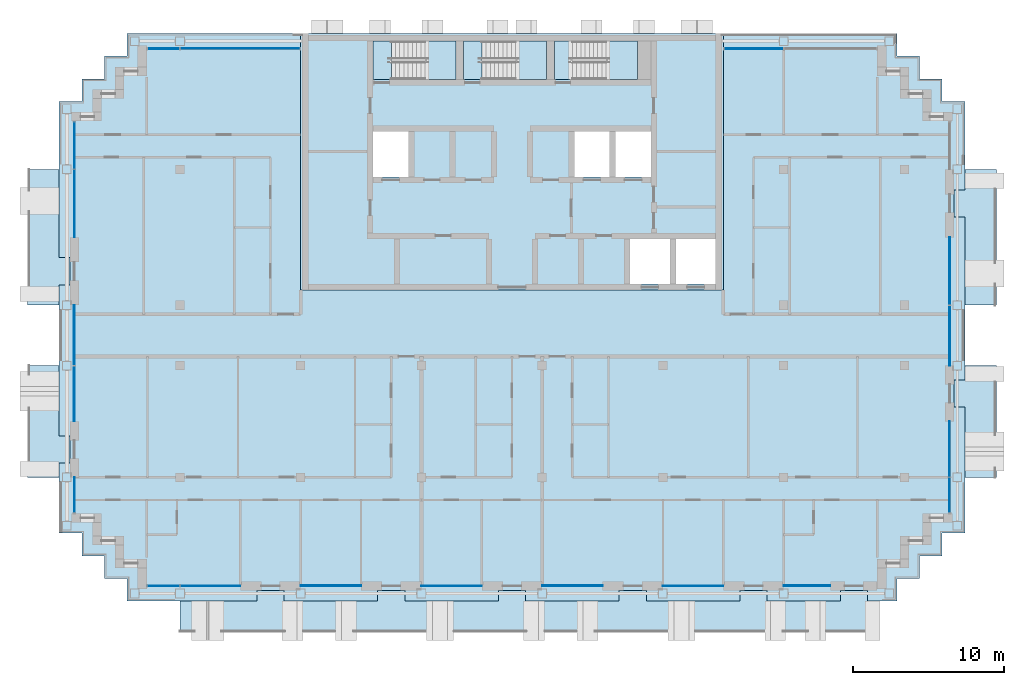
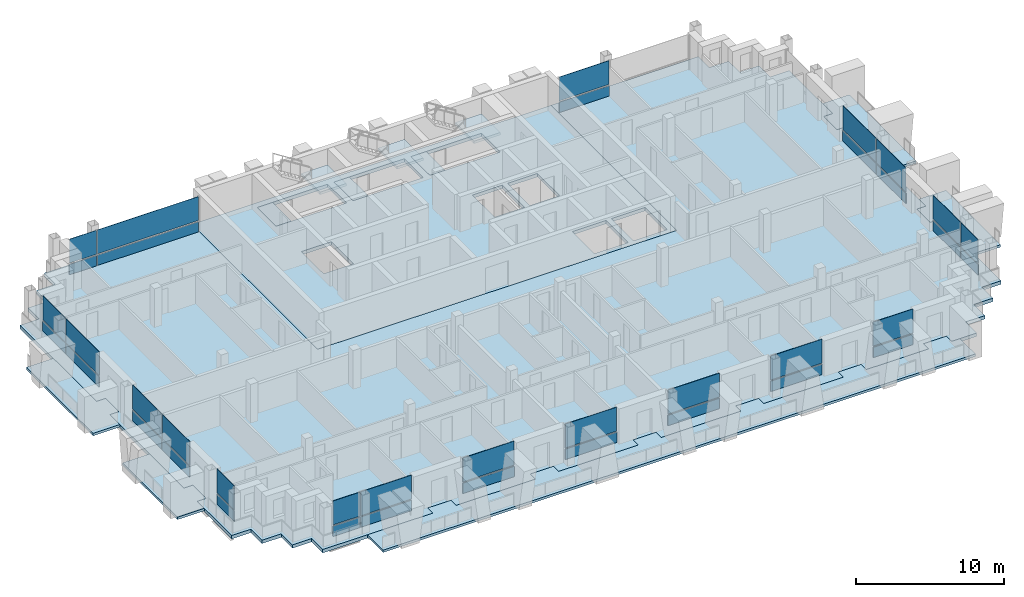
# One storey, part 6 of 16: 38 plates, 13 slabs, 16 elements without a shape of their own.
"""IFC4 building model written with IfcOpenShell, lengths in metres."""

from ifc_helpers import new_model, si_unit, direction, frame, origin, origin_2d, place, context, subcontext, project, spatial, polyline, rectangle, outline, extrude, material, layer, layer_set, type_object, element, aggregate, save


model = new_model("IFC4")

# Units and contexts
model_context = context("Model", 3, precision=1e-05, world=origin(), true_north=direction((0.0, 1.0)))
body_context = subcontext(model_context, "Body", "Model", "MODEL_VIEW")
ifc_project = project(units=[si_unit("LENGTHUNIT", "METRE"), si_unit("AREAUNIT", "SQUARE_METRE"), si_unit("VOLUMEUNIT", "CUBIC_METRE"), si_unit("PLANEANGLEUNIT", "RADIAN"), si_unit("MASSUNIT", "GRAM", prefix="KILO")], contexts=[model_context])

# Site, building, storey
site_placement = place(None, origin())
site = spatial("IfcSite", under=ifc_project, at=site_placement, CompositionType="ELEMENT")
building_placement = place(site_placement, origin())
building = spatial("IfcBuilding", under=site, at=building_placement, Name="Vidyagriha Tower", CompositionType="ELEMENT")
storey_placement = place(building_placement, frame((0.0, 0.0, 220.39990234375)))
storey = spatial("IfcBuildingStorey", under=building, at=storey_placement, Name="L57", CompositionType="ELEMENT", Elevation=220.39990234375)

# Curtain wall, plate
ifc_material_1 = material(Name="Aluminium and glass curtain wall", Category="aluminium")
curtain_wall_type = type_object("IfcCurtainWallType", Name="Dwelling skin unitised curtain wall", PredefinedType="USERDEFINED", material=ifc_material_1)
curtain_wall_1_placement = place(storey_placement, origin())
curtain_wall_1 = element("IfcCurtainWall", 1, at=curtain_wall_1_placement, inside=storey, type_object=curtain_wall_type, Name="CW1 dwelling skin", ObjectType="UNITISED", PredefinedType="USERDEFINED")
ifc_material_2 = material(Name="Glass dark ceramic-fritted spandrel", Category="glass")
ifc_layer_1 = layer(ifc_material_2, 0.0400390625)
ifc_layer_set_1 = layer_set([ifc_layer_1], Name="Glass dark ceramic-fritted spandrel")
plate_type_1 = type_object("IfcPlateType", Name="Ceramic-fritted spandrel panel", PredefinedType="CURTAIN_PANEL", material=ifc_layer_set_1)
plate_1_placement = place(storey_placement, frame((-18.017578125, 19.0, 0.0), z_axis=(0.0, 0.0, 1.0), x_axis=(-1.0, 0.0, 0.0)))
plate_1 = element("IfcPlate", 2, at=plate_1_placement, type_object=plate_type_1, Name="CW1 panel 1.1", PredefinedType="CURTAIN_PANEL", context=body_context, shape_type="SweptSolid", body=[
    extrude(rectangle(XDim=7.89501953125, YDim=0.0400390625, at=origin_2d()), origin(), (0.0, 0.0, 1.0), 0.85009765625),
])

# Curtain wall, plates
curtain_wall_2_placement = place(storey_placement, origin())
curtain_wall_2 = element("IfcCurtainWall", 3, at=curtain_wall_2_placement, inside=storey, type_object=curtain_wall_type, Name="CW1 dwelling skin", ObjectType="UNITISED", PredefinedType="USERDEFINED")
plate_2_placement = place(storey_placement, frame((-29.0, 12.58251953125, 0.0), z_axis=(0.0, 0.0, 1.0), x_axis=(0.0, -1.0, 0.0)))
plate_2 = element("IfcPlate", 4, at=plate_2_placement, type_object=plate_type_1, Name="CW1 panel 1.1", PredefinedType="CURTAIN_PANEL", context=body_context, shape_type="SweptSolid", body=[
    extrude(rectangle(XDim=3.094970703125, YDim=0.0400390625, at=origin_2d()), origin(), (0.0, 0.0, 1.0), 0.85009765625),
])
plate_3_placement = place(storey_placement, frame((-29.0, 8.732421875, 0.0), z_axis=(0.0, 0.0, 1.0), x_axis=(0.0, -1.0, 0.0)))
plate_3 = element("IfcPlate", 5, at=plate_3_placement, type_object=plate_type_1, Name="CW1 panel 2.1", PredefinedType="CURTAIN_PANEL", context=body_context, shape_type="SweptSolid", body=[
    extrude(rectangle(XDim=4.465087890625, YDim=0.0400390625, at=origin_2d()), origin(), (0.0, 0.0, 1.0), 0.85009765625),
])

# Curtain wall, plate
curtain_wall_3_placement = place(storey_placement, origin())
curtain_wall_3 = element("IfcCurtainWall", 6, at=curtain_wall_3_placement, inside=storey, type_object=curtain_wall_type, Name="CW1 dwelling skin", ObjectType="UNITISED", PredefinedType="USERDEFINED")
plate_4_placement = place(storey_placement, frame((-29.0, -10.56494140625, 0.0), z_axis=(0.0, 0.0, 1.0), x_axis=(0.0, -1.0, 0.0)))
plate_4 = element("IfcPlate", 7, at=plate_4_placement, type_object=plate_type_1, Name="CW1 panel 1.1", PredefinedType="CURTAIN_PANEL", context=body_context, shape_type="SweptSolid", body=[
    extrude(rectangle(XDim=2.330078125, YDim=0.0400390625, at=origin_2d()), origin(), (0.0, 0.0, 1.0), 0.85009765625),
])

# Curtain wall, plates
curtain_wall_4_placement = place(storey_placement, origin())
curtain_wall_4 = element("IfcCurtainWall", 8, at=curtain_wall_4_placement, inside=storey, type_object=curtain_wall_type, Name="CW1 dwelling skin", ObjectType="UNITISED", PredefinedType="USERDEFINED")
plate_5_placement = place(storey_placement, frame((-23.08251953125, -16.60009765625, 0.0)))
plate_5 = element("IfcPlate", 9, at=plate_5_placement, type_object=plate_type_1, Name="CW1 panel 1.1", PredefinedType="CURTAIN_PANEL", context=body_context, shape_type="SweptSolid", body=[
    extrude(rectangle(XDim=2.094970703125, YDim=0.0400390625, at=origin_2d()), origin(), (0.0, 0.0, 1.0), 0.85009765625),
])
plate_6_placement = place(storey_placement, frame((-19.982421875, -16.60009765625, 0.0)))
plate_6 = element("IfcPlate", 10, at=plate_6_placement, type_object=plate_type_1, Name="CW1 panel 2.1", PredefinedType="CURTAIN_PANEL", context=body_context, shape_type="SweptSolid", body=[
    extrude(rectangle(XDim=3.965087890625, YDim=0.0400390625, at=origin_2d()), origin(), (0.0, 0.0, 1.0), 0.85009765625),
])

# Curtain wall, plate
curtain_wall_5_placement = place(storey_placement, origin())
curtain_wall_5 = element("IfcCurtainWall", 11, at=curtain_wall_5_placement, inside=storey, type_object=curtain_wall_type, Name="CW1 dwelling skin", ObjectType="UNITISED", PredefinedType="USERDEFINED")
plate_7_placement = place(storey_placement, frame((-4.0, -16.60009765625, 0.0)))
plate_7 = element("IfcPlate", 12, at=plate_7_placement, type_object=plate_type_1, Name="CW1 panel 1.1", PredefinedType="CURTAIN_PANEL", context=body_context, shape_type="SweptSolid", body=[
    extrude(rectangle(XDim=4.0, YDim=0.0400390625, at=origin_2d()), origin(), (0.0, 0.0, 1.0), 0.85009765625),
])

curtain_wall_6_placement = place(storey_placement, origin())
curtain_wall_6 = element("IfcCurtainWall", 13, at=curtain_wall_6_placement, inside=storey, type_object=curtain_wall_type, Name="CW1 dwelling skin", ObjectType="UNITISED", PredefinedType="USERDEFINED")
plate_8_placement = place(storey_placement, frame((12.0, -16.60009765625, 0.0)))
plate_8 = element("IfcPlate", 14, at=plate_8_placement, type_object=plate_type_1, Name="CW1 panel 1.1", PredefinedType="CURTAIN_PANEL", context=body_context, shape_type="SweptSolid", body=[
    extrude(rectangle(XDim=4.0, YDim=0.0400390625, at=origin_2d()), origin(), (0.0, 0.0, 1.0), 0.85009765625),
])

# Curtain wall, plates
curtain_wall_7_placement = place(storey_placement, origin())
curtain_wall_7 = element("IfcCurtainWall", 15, at=curtain_wall_7_placement, inside=storey, type_object=curtain_wall_type, Name="CW1 dwelling skin", ObjectType="UNITISED", PredefinedType="USERDEFINED")
plate_9_placement = place(storey_placement, frame((29.0, -10.58251953125, 0.0), z_axis=(0.0, 0.0, 1.0), x_axis=(0.0, 1.0, 0.0)))
plate_9 = element("IfcPlate", 16, at=plate_9_placement, type_object=plate_type_1, Name="CW1 panel 1.1", PredefinedType="CURTAIN_PANEL", context=body_context, shape_type="SweptSolid", body=[
    extrude(rectangle(XDim=2.294921875, YDim=0.0400390625, at=origin_2d()), origin(), (0.0, 0.0, 1.0), 0.85009765625),
])
plate_10_placement = place(storey_placement, frame((29.0, -7.532470703125, 0.0), z_axis=(0.0, 0.0, 1.0), x_axis=(0.0, 1.0, 0.0)))
plate_10 = element("IfcPlate", 17, at=plate_10_placement, type_object=plate_type_1, Name="CW1 panel 2.1", PredefinedType="CURTAIN_PANEL", context=body_context, shape_type="SweptSolid", body=[
    extrude(rectangle(XDim=3.6650390625, YDim=0.0400390625, at=origin_2d()), origin(), (0.0, 0.0, 1.0), 0.85009765625),
])

# Slab
ifc_material_3 = material(Name="Concrete C60/75", Category="concrete")
ifc_layer_2 = layer(ifc_material_3, 0.280029296875)
ifc_layer_set_2 = layer_set([ifc_layer_2], Name="Concrete C60/75")
slab_type_1 = type_object("IfcSlabType", Name="Core floor slab 280 mm", PredefinedType="FLOOR", material=ifc_layer_set_2)
slab_1_placement = place(storey_placement, frame((0.0, 0.0, -0.27978515625)))
element("IfcSlab", 18, at=slab_1_placement, inside=storey, type_object=slab_type_1, Name="L57 core floor 1", PredefinedType="FLOOR", context=body_context, shape_type="SweptSolid", body=[
    extrude(outline(polyline([(-14.0, 3.0), (-14.0, 20.0), (14.0, 20.0), (14.0, 3.0), (-14.0, 3.0)]), holes=[polyline([(13.5, 6.39990234375), (10.855712890625, 6.39990234375), (10.855712890625, 3.39990234375), (13.5, 3.39990234375), (13.5, 6.39990234375)]), polyline([(10.45556640625, 6.39990234375), (7.81103515625, 6.39990234375), (7.81103515625, 3.39990234375), (10.45556640625, 3.39990234375), (10.45556640625, 6.39990234375)]), polyline([(9.199951171875, 13.5), (6.86669921875, 13.5), (6.86669921875, 10.5), (9.199951171875, 10.5), (9.199951171875, 13.5)]), polyline([(2.800048828125, 19.5), (2.800048828125, 16.949951171875), (4.0, 16.949951171875), (8.300048828125, 16.949951171875), (8.300048828125, 19.5), (4.0, 19.5), (2.800048828125, 19.5)]), polyline([(4.13330078125, 13.5), (4.13330078125, 10.5), (6.466796875, 10.5), (6.466796875, 13.5), (4.13330078125, 13.5)]), polyline([(-2.0, 19.5), (-3.199951171875, 19.5), (-3.199951171875, 16.949951171875), (-2.0, 16.949951171875), (2.300048828125, 16.949951171875), (2.300048828125, 19.5), (-2.0, 19.5)]), polyline([(-9.199951171875, 19.5), (-9.199951171875, 16.949951171875), (-8.0, 16.949951171875), (-3.699951171875, 16.949951171875), (-3.699951171875, 19.5), (-8.0, 19.5), (-9.199951171875, 19.5)]), polyline([(-9.199951171875, 13.5), (-9.199951171875, 10.5), (-6.86669921875, 10.5), (-6.86669921875, 13.5), (-9.199951171875, 13.5)])]), origin(), (0.0, 0.0, 1.0), 0.27978515625),
])

# Curtain wall, plate
curtain_wall_8_placement = place(storey_placement, origin())
curtain_wall_8 = element("IfcCurtainWall", 19, at=curtain_wall_8_placement, inside=storey, type_object=curtain_wall_type, Name="CW1 dwelling skin", ObjectType="UNITISED", PredefinedType="USERDEFINED")
ifc_material_4 = material(Name="Glass dark ceramic-fritted", Category="glass")
ifc_layer_3 = layer(ifc_material_4, 0.028076171875)
ifc_layer_set_3 = layer_set([ifc_layer_3], Name="Glass dark ceramic-fritted")
plate_type_2 = type_object("IfcPlateType", Name="Dark ceramic-fritted vision glass panel", PredefinedType="CURTAIN_PANEL", material=ifc_layer_set_3)
plate_11_placement = place(storey_placement, frame((16.017578125, 19.0, 0.9501953125), z_axis=(0.0, 0.0, 1.0), x_axis=(-1.0, 0.0, 0.0)))
plate_11 = element("IfcPlate", 20, at=plate_11_placement, type_object=plate_type_2, Name="CW1 panel 2.2", PredefinedType="CURTAIN_PANEL", context=body_context, shape_type="SweptSolid", body=[
    extrude(rectangle(XDim=3.89501953125, YDim=0.028076171875, at=origin_2d()), origin(), (0.0, 0.0, 1.0), 1.969970703125),
])

# Plate
plate_12_placement = place(storey_placement, frame((-18.017578125, 19.0, 0.9501953125), z_axis=(0.0, 0.0, 1.0), x_axis=(-1.0, 0.0, 0.0)))
plate_12 = element("IfcPlate", 21, at=plate_12_placement, type_object=plate_type_2, Name="CW1 panel 1.2", PredefinedType="CURTAIN_PANEL", context=body_context, shape_type="SweptSolid", body=[
    extrude(rectangle(XDim=7.89501953125, YDim=0.028076171875, at=origin_2d()), origin(), (0.0, 0.0, 1.0), 1.969970703125),
])

plate_13_placement = place(storey_placement, frame((-23.08251953125, 19.0, 0.9501953125), z_axis=(0.0, 0.0, 1.0), x_axis=(-1.0, 0.0, 0.0)))
plate_13 = element("IfcPlate", 22, at=plate_13_placement, type_object=plate_type_2, Name="CW1 panel 2.2", PredefinedType="CURTAIN_PANEL", context=body_context, shape_type="SweptSolid", body=[
    extrude(rectangle(XDim=2.094970703125, YDim=0.028076171875, at=origin_2d()), origin(), (0.0, 0.0, 1.0), 1.969970703125),
])

plate_14_placement = place(storey_placement, frame((-29.0, 12.58251953125, 0.9501953125), z_axis=(0.0, 0.0, 1.0), x_axis=(0.0, -1.0, 0.0)))
plate_14 = element("IfcPlate", 23, at=plate_14_placement, type_object=plate_type_2, Name="CW1 panel 1.2", PredefinedType="CURTAIN_PANEL", context=body_context, shape_type="SweptSolid", body=[
    extrude(rectangle(XDim=3.094970703125, YDim=0.028076171875, at=origin_2d()), origin(), (0.0, 0.0, 1.0), 1.969970703125),
])

plate_15_placement = place(storey_placement, frame((-29.0, 8.732421875, 0.9501953125), z_axis=(0.0, 0.0, 1.0), x_axis=(0.0, -1.0, 0.0)))
plate_15 = element("IfcPlate", 24, at=plate_15_placement, type_object=plate_type_2, Name="CW1 panel 2.2", PredefinedType="CURTAIN_PANEL", context=body_context, shape_type="SweptSolid", body=[
    extrude(rectangle(XDim=4.465087890625, YDim=0.028076171875, at=origin_2d()), origin(), (0.0, 0.0, 1.0), 1.969970703125),
])

aggregate(curtain_wall_2, [plate_2, plate_14, plate_3, plate_15])

# Curtain wall, plates
curtain_wall_9_placement = place(storey_placement, origin())
curtain_wall_9 = element("IfcCurtainWall", 25, at=curtain_wall_9_placement, inside=storey, type_object=curtain_wall_type, Name="CW1 dwelling skin", ObjectType="UNITISED", PredefinedType="USERDEFINED")
plate_16_placement = place(storey_placement, frame((-29.0, 0.017578125, 0.9501953125), z_axis=(0.0, 0.0, 1.0), x_axis=(0.0, -1.0, 0.0)))
plate_16 = element("IfcPlate", 26, at=plate_16_placement, type_object=plate_type_2, Name="CW1 panel 1.2", PredefinedType="CURTAIN_PANEL", context=body_context, shape_type="SweptSolid", body=[
    extrude(rectangle(XDim=3.965087890625, YDim=0.028076171875, at=origin_2d()), origin(), (0.0, 0.0, 1.0), 1.969970703125),
])
plate_17_placement = place(storey_placement, frame((-29.0, -3.867431640625, 0.9501953125), z_axis=(0.0, 0.0, 1.0), x_axis=(0.0, -1.0, 0.0)))
plate_17 = element("IfcPlate", 27, at=plate_17_placement, type_object=plate_type_2, Name="CW1 panel 2.2", PredefinedType="CURTAIN_PANEL", context=body_context, shape_type="SweptSolid", body=[
    extrude(rectangle(XDim=3.6650390625, YDim=0.028076171875, at=origin_2d()), origin(), (0.0, 0.0, 1.0), 1.969970703125),
])

# Plate
plate_18_placement = place(storey_placement, frame((-29.0, -10.56494140625, 0.9501953125), z_axis=(0.0, 0.0, 1.0), x_axis=(0.0, -1.0, 0.0)))
plate_18 = element("IfcPlate", 28, at=plate_18_placement, type_object=plate_type_2, Name="CW1 panel 1.2", PredefinedType="CURTAIN_PANEL", context=body_context, shape_type="SweptSolid", body=[
    extrude(rectangle(XDim=2.330078125, YDim=0.028076171875, at=origin_2d()), origin(), (0.0, 0.0, 1.0), 1.969970703125),
])

aggregate(curtain_wall_3, [plate_4, plate_18])

plate_19_placement = place(storey_placement, frame((-23.08251953125, -16.60009765625, 0.9501953125)))
plate_19 = element("IfcPlate", 29, at=plate_19_placement, type_object=plate_type_2, Name="CW1 panel 1.2", PredefinedType="CURTAIN_PANEL", context=body_context, shape_type="SweptSolid", body=[
    extrude(rectangle(XDim=2.094970703125, YDim=0.028076171875, at=origin_2d()), origin(), (0.0, 0.0, 1.0), 1.969970703125),
])

plate_20_placement = place(storey_placement, frame((-19.982421875, -16.60009765625, 0.9501953125)))
plate_20 = element("IfcPlate", 30, at=plate_20_placement, type_object=plate_type_2, Name="CW1 panel 2.2", PredefinedType="CURTAIN_PANEL", context=body_context, shape_type="SweptSolid", body=[
    extrude(rectangle(XDim=3.965087890625, YDim=0.028076171875, at=origin_2d()), origin(), (0.0, 0.0, 1.0), 1.969970703125),
])

aggregate(curtain_wall_4, [plate_5, plate_19, plate_6, plate_20])

# Curtain wall, plate
curtain_wall_10_placement = place(storey_placement, origin())
curtain_wall_10 = element("IfcCurtainWall", 31, at=curtain_wall_10_placement, inside=storey, type_object=curtain_wall_type, Name="CW1 dwelling skin", ObjectType="UNITISED", PredefinedType="USERDEFINED")
plate_21_placement = place(storey_placement, frame((-12.0, -16.60009765625, 0.9501953125)))
plate_21 = element("IfcPlate", 32, at=plate_21_placement, type_object=plate_type_2, Name="CW1 panel 1.2", PredefinedType="CURTAIN_PANEL", context=body_context, shape_type="SweptSolid", body=[
    extrude(rectangle(XDim=4.0, YDim=0.028076171875, at=origin_2d()), origin(), (0.0, 0.0, 1.0), 1.969970703125),
])

# Plate
plate_22_placement = place(storey_placement, frame((-4.0, -16.60009765625, 0.9501953125)))
plate_22 = element("IfcPlate", 33, at=plate_22_placement, type_object=plate_type_2, Name="CW1 panel 1.2", PredefinedType="CURTAIN_PANEL", context=body_context, shape_type="SweptSolid", body=[
    extrude(rectangle(XDim=4.0, YDim=0.028076171875, at=origin_2d()), origin(), (0.0, 0.0, 1.0), 1.969970703125),
])

aggregate(curtain_wall_5, [plate_7, plate_22])

# Curtain wall, plate
curtain_wall_11_placement = place(storey_placement, origin())
curtain_wall_11 = element("IfcCurtainWall", 34, at=curtain_wall_11_placement, inside=storey, type_object=curtain_wall_type, Name="CW1 dwelling skin", ObjectType="UNITISED", PredefinedType="USERDEFINED")
plate_23_placement = place(storey_placement, frame((4.0, -16.60009765625, 0.9501953125)))
plate_23 = element("IfcPlate", 35, at=plate_23_placement, type_object=plate_type_2, Name="CW1 panel 1.2", PredefinedType="CURTAIN_PANEL", context=body_context, shape_type="SweptSolid", body=[
    extrude(rectangle(XDim=4.0, YDim=0.028076171875, at=origin_2d()), origin(), (0.0, 0.0, 1.0), 1.969970703125),
])

# Plate
plate_24_placement = place(storey_placement, frame((12.0, -16.60009765625, 0.9501953125)))
plate_24 = element("IfcPlate", 36, at=plate_24_placement, type_object=plate_type_2, Name="CW1 panel 1.2", PredefinedType="CURTAIN_PANEL", context=body_context, shape_type="SweptSolid", body=[
    extrude(rectangle(XDim=4.0, YDim=0.028076171875, at=origin_2d()), origin(), (0.0, 0.0, 1.0), 1.969970703125),
])

aggregate(curtain_wall_6, [plate_8, plate_24])

# Curtain wall, plate
curtain_wall_12_placement = place(storey_placement, origin())
curtain_wall_12 = element("IfcCurtainWall", 37, at=curtain_wall_12_placement, inside=storey, type_object=curtain_wall_type, Name="CW1 dwelling skin", ObjectType="UNITISED", PredefinedType="USERDEFINED")
plate_25_placement = place(storey_placement, frame((19.550048828125, -16.60009765625, 0.9501953125)))
plate_25 = element("IfcPlate", 38, at=plate_25_placement, type_object=plate_type_2, Name="CW1 panel 1.2", PredefinedType="CURTAIN_PANEL", context=body_context, shape_type="SweptSolid", body=[
    extrude(rectangle(XDim=3.10009765625, YDim=0.028076171875, at=origin_2d()), origin(), (0.0, 0.0, 1.0), 1.969970703125),
])

# Plate
plate_26_placement = place(storey_placement, frame((29.0, -10.58251953125, 0.9501953125), z_axis=(0.0, 0.0, 1.0), x_axis=(0.0, 1.0, 0.0)))
plate_26 = element("IfcPlate", 39, at=plate_26_placement, type_object=plate_type_2, Name="CW1 panel 1.2", PredefinedType="CURTAIN_PANEL", context=body_context, shape_type="SweptSolid", body=[
    extrude(rectangle(XDim=2.294921875, YDim=0.028076171875, at=origin_2d()), origin(), (0.0, 0.0, 1.0), 1.969970703125),
])

plate_27_placement = place(storey_placement, frame((29.0, -7.532470703125, 0.9501953125), z_axis=(0.0, 0.0, 1.0), x_axis=(0.0, 1.0, 0.0)))
plate_27 = element("IfcPlate", 40, at=plate_27_placement, type_object=plate_type_2, Name="CW1 panel 2.2", PredefinedType="CURTAIN_PANEL", context=body_context, shape_type="SweptSolid", body=[
    extrude(rectangle(XDim=3.6650390625, YDim=0.028076171875, at=origin_2d()), origin(), (0.0, 0.0, 1.0), 1.969970703125),
])

aggregate(curtain_wall_7, [plate_9, plate_26, plate_10, plate_27])

# Curtain wall, plates
curtain_wall_13_placement = place(storey_placement, origin())
curtain_wall_13 = element("IfcCurtainWall", 41, at=curtain_wall_13_placement, inside=storey, type_object=curtain_wall_type, Name="CW1 dwelling skin", ObjectType="UNITISED", PredefinedType="USERDEFINED")
plate_28_placement = place(storey_placement, frame((29.0, -0.017578125, 0.9501953125), z_axis=(0.0, 0.0, 1.0), x_axis=(0.0, 1.0, 0.0)))
plate_28 = element("IfcPlate", 42, at=plate_28_placement, type_object=plate_type_2, Name="CW1 panel 1.2", PredefinedType="CURTAIN_PANEL", context=body_context, shape_type="SweptSolid", body=[
    extrude(rectangle(XDim=3.965087890625, YDim=0.028076171875, at=origin_2d()), origin(), (0.0, 0.0, 1.0), 1.969970703125),
])
plate_29_placement = place(storey_placement, frame((29.0, 4.267578125, 0.9501953125), z_axis=(0.0, 0.0, 1.0), x_axis=(0.0, 1.0, 0.0)))
plate_29 = element("IfcPlate", 43, at=plate_29_placement, type_object=plate_type_2, Name="CW1 panel 2.2", PredefinedType="CURTAIN_PANEL", context=body_context, shape_type="SweptSolid", body=[
    extrude(rectangle(XDim=4.465087890625, YDim=0.028076171875, at=origin_2d()), origin(), (0.0, 0.0, 1.0), 1.969970703125),
])

# Slabs
ifc_material_5 = material(Name="Concrete C40/50", Category="concrete")
ifc_layer_4 = layer(ifc_material_5, 0.280029296875)
ifc_layer_set_4 = layer_set([ifc_layer_4], Name="Concrete C40/50")
slab_type_2 = type_object("IfcSlabType", Name="Exit stair floor landing 280 mm", PredefinedType="LANDING", material=ifc_layer_set_4)
slab_2_placement = place(storey_placement, frame((0.0, 0.0, -0.27978515625)))
element("IfcSlab", 44, at=slab_2_placement, inside=storey, type_object=slab_type_2, Name="ST1 floor landing L57", PredefinedType="LANDING", context=body_context, shape_type="SweptSolid", body=[
    extrude(outline(polyline([(-9.199951171875, 16.949951171875), (-8.0, 16.949951171875), (-8.0, 19.5), (-9.199951171875, 19.5), (-9.199951171875, 16.949951171875)])), origin(), (0.0, 0.0, 1.0), 0.27978515625),
])
slab_3_placement = place(storey_placement, frame((0.0, 0.0, -0.27978515625)))
element("IfcSlab", 45, at=slab_3_placement, inside=storey, type_object=slab_type_2, Name="ST2 floor landing L57", PredefinedType="LANDING", context=body_context, shape_type="SweptSolid", body=[
    extrude(outline(polyline([(-3.199951171875, 16.949951171875), (-2.0, 16.949951171875), (-2.0, 19.5), (-3.199951171875, 19.5), (-3.199951171875, 16.949951171875)])), origin(), (0.0, 0.0, 1.0), 0.27978515625),
])
slab_4_placement = place(storey_placement, frame((0.0, 0.0, -0.27978515625)))
element("IfcSlab", 46, at=slab_4_placement, inside=storey, type_object=slab_type_2, Name="ST3 floor landing L57", PredefinedType="LANDING", context=body_context, shape_type="SweptSolid", body=[
    extrude(outline(polyline([(2.800048828125, 16.949951171875), (4.0, 16.949951171875), (4.0, 19.5), (2.800048828125, 19.5), (2.800048828125, 16.949951171875)])), origin(), (0.0, 0.0, 1.0), 0.27978515625),
])

# Stair, slab
ifc_material_6 = material(Name="Concrete C40/50", Category="concrete")
stair_type = type_object("IfcStairType", Name="Exit stair, half-turn, precast flights", PredefinedType="HALF_TURN_STAIR", material=ifc_material_6)
stair_1_placement = place(storey_placement, origin())
stair_1 = element("IfcStair", 47, at=stair_1_placement, inside=storey, type_object=stair_type, Name="L57 Exit Stair ST1", PredefinedType="HALF_TURN_STAIR")
ifc_material_7 = material(Name="Concrete C40/50", Category="concrete")
ifc_layer_5 = layer(ifc_material_7, 0.199951171875)
ifc_layer_set_5 = layer_set([ifc_layer_5], Name="Concrete C40/50")
slab_type_3 = type_object("IfcSlabType", Name="Exit stair landing 200 mm", PredefinedType="LANDING", material=ifc_layer_set_5)
slab_5_placement = place(storey_placement, frame((0.0, 0.0, 1.400146484375)))
slab_5 = element("IfcSlab", 48, at=slab_5_placement, type_object=slab_type_3, Name="ST1 landing 1", PredefinedType="LANDING", context=body_context, shape_type="SweptSolid", body=[
    extrude(outline(polyline([(-5.760009765625, 16.949951171875), (-3.699951171875, 16.949951171875), (-3.699951171875, 19.5), (-5.760009765625, 19.5), (-5.760009765625, 16.949951171875)])), origin(), (0.0, 0.0, 1.0), 0.199951171875),
])
aggregate(stair_1, [slab_5])

stair_2_placement = place(storey_placement, origin())
stair_2 = element("IfcStair", 49, at=stair_2_placement, inside=storey, type_object=stair_type, Name="L57 Exit Stair ST2", PredefinedType="HALF_TURN_STAIR")
slab_6_placement = place(storey_placement, frame((0.0, 0.0, 1.400146484375)))
slab_6 = element("IfcSlab", 50, at=slab_6_placement, type_object=slab_type_3, Name="ST2 landing 1", PredefinedType="LANDING", context=body_context, shape_type="SweptSolid", body=[
    extrude(outline(polyline([(0.239990234375, 16.949951171875), (2.300048828125, 16.949951171875), (2.300048828125, 19.5), (0.239990234375, 19.5), (0.239990234375, 16.949951171875)])), origin(), (0.0, 0.0, 1.0), 0.199951171875),
])
aggregate(stair_2, [slab_6])

stair_3_placement = place(storey_placement, origin())
stair_3 = element("IfcStair", 51, at=stair_3_placement, inside=storey, type_object=stair_type, Name="L57 Exit Stair ST3", PredefinedType="HALF_TURN_STAIR")
slab_7_placement = place(storey_placement, frame((0.0, 0.0, 1.400146484375)))
slab_7 = element("IfcSlab", 52, at=slab_7_placement, type_object=slab_type_3, Name="ST3 landing 1", PredefinedType="LANDING", context=body_context, shape_type="SweptSolid", body=[
    extrude(outline(polyline([(6.239990234375, 16.949951171875), (8.300048828125, 16.949951171875), (8.300048828125, 19.5), (6.239990234375, 19.5), (6.239990234375, 16.949951171875)])), origin(), (0.0, 0.0, 1.0), 0.199951171875),
])
aggregate(stair_3, [slab_7])

# Plate
ifc_material_8 = material(Name="Aluminium black anodised", Category="aluminium")
ifc_layer_6 = layer(ifc_material_8, 0.06005859375)
ifc_layer_set_6 = layer_set([ifc_layer_6], Name="Aluminium black anodised")
plate_type_3 = type_object("IfcPlateType", Name="Operable black-metal vent panel", PredefinedType="CURTAIN_PANEL", material=ifc_layer_set_6)
plate_30_placement = place(storey_placement, frame((16.017578125, 19.0, 0.0), z_axis=(0.0, 0.0, 1.0), x_axis=(-1.0, 0.0, 0.0)))
plate_30 = element("IfcPlate", 53, at=plate_30_placement, type_object=plate_type_3, Name="CW1 panel 2.1", PredefinedType="CURTAIN_PANEL", context=body_context, shape_type="SweptSolid", body=[
    extrude(rectangle(XDim=3.89501953125, YDim=0.06005859375, at=origin_2d()), origin(), (0.0, 0.0, 1.0), 0.85009765625),
])

aggregate(curtain_wall_8, [plate_30, plate_11])

plate_31_placement = place(storey_placement, frame((-23.08251953125, 19.0, 0.0), z_axis=(0.0, 0.0, 1.0), x_axis=(-1.0, 0.0, 0.0)))
plate_31 = element("IfcPlate", 54, at=plate_31_placement, type_object=plate_type_3, Name="CW1 panel 2.1", PredefinedType="CURTAIN_PANEL", context=body_context, shape_type="SweptSolid", body=[
    extrude(rectangle(XDim=2.094970703125, YDim=0.06005859375, at=origin_2d()), origin(), (0.0, 0.0, 1.0), 0.85009765625),
])

aggregate(curtain_wall_1, [plate_1, plate_12, plate_31, plate_13])

plate_32_placement = place(storey_placement, frame((-29.0, 0.017578125, 0.0), z_axis=(0.0, 0.0, 1.0), x_axis=(0.0, -1.0, 0.0)))
plate_32 = element("IfcPlate", 55, at=plate_32_placement, type_object=plate_type_3, Name="CW1 panel 1.1", PredefinedType="CURTAIN_PANEL", context=body_context, shape_type="SweptSolid", body=[
    extrude(rectangle(XDim=3.965087890625, YDim=0.06005859375, at=origin_2d()), origin(), (0.0, 0.0, 1.0), 0.85009765625),
])

plate_33_placement = place(storey_placement, frame((-29.0, -3.867431640625, 0.0), z_axis=(0.0, 0.0, 1.0), x_axis=(0.0, -1.0, 0.0)))
plate_33 = element("IfcPlate", 56, at=plate_33_placement, type_object=plate_type_3, Name="CW1 panel 2.1", PredefinedType="CURTAIN_PANEL", context=body_context, shape_type="SweptSolid", body=[
    extrude(rectangle(XDim=3.6650390625, YDim=0.06005859375, at=origin_2d()), origin(), (0.0, 0.0, 1.0), 0.85009765625),
])

aggregate(curtain_wall_9, [plate_32, plate_16, plate_33, plate_17])

plate_34_placement = place(storey_placement, frame((-12.0, -16.60009765625, 0.0)))
plate_34 = element("IfcPlate", 57, at=plate_34_placement, type_object=plate_type_3, Name="CW1 panel 1.1", PredefinedType="CURTAIN_PANEL", context=body_context, shape_type="SweptSolid", body=[
    extrude(rectangle(XDim=4.0, YDim=0.06005859375, at=origin_2d()), origin(), (0.0, 0.0, 1.0), 0.85009765625),
])

aggregate(curtain_wall_10, [plate_34, plate_21])

plate_35_placement = place(storey_placement, frame((4.0, -16.60009765625, 0.0)))
plate_35 = element("IfcPlate", 58, at=plate_35_placement, type_object=plate_type_3, Name="CW1 panel 1.1", PredefinedType="CURTAIN_PANEL", context=body_context, shape_type="SweptSolid", body=[
    extrude(rectangle(XDim=4.0, YDim=0.06005859375, at=origin_2d()), origin(), (0.0, 0.0, 1.0), 0.85009765625),
])

aggregate(curtain_wall_11, [plate_35, plate_23])

plate_36_placement = place(storey_placement, frame((19.550048828125, -16.60009765625, 0.0)))
plate_36 = element("IfcPlate", 59, at=plate_36_placement, type_object=plate_type_3, Name="CW1 panel 1.1", PredefinedType="CURTAIN_PANEL", context=body_context, shape_type="SweptSolid", body=[
    extrude(rectangle(XDim=3.10009765625, YDim=0.06005859375, at=origin_2d()), origin(), (0.0, 0.0, 1.0), 0.85009765625),
])

aggregate(curtain_wall_12, [plate_36, plate_25])

plate_37_placement = place(storey_placement, frame((29.0, -0.017578125, 0.0), z_axis=(0.0, 0.0, 1.0), x_axis=(0.0, 1.0, 0.0)))
plate_37 = element("IfcPlate", 60, at=plate_37_placement, type_object=plate_type_3, Name="CW1 panel 1.1", PredefinedType="CURTAIN_PANEL", context=body_context, shape_type="SweptSolid", body=[
    extrude(rectangle(XDim=3.965087890625, YDim=0.06005859375, at=origin_2d()), origin(), (0.0, 0.0, 1.0), 0.85009765625),
])

plate_38_placement = place(storey_placement, frame((29.0, 4.267578125, 0.0), z_axis=(0.0, 0.0, 1.0), x_axis=(0.0, 1.0, 0.0)))
plate_38 = element("IfcPlate", 61, at=plate_38_placement, type_object=plate_type_3, Name="CW1 panel 2.1", PredefinedType="CURTAIN_PANEL", context=body_context, shape_type="SweptSolid", body=[
    extrude(rectangle(XDim=4.465087890625, YDim=0.06005859375, at=origin_2d()), origin(), (0.0, 0.0, 1.0), 0.85009765625),
])

aggregate(curtain_wall_13, [plate_37, plate_28, plate_38, plate_29])

# Slabs
ifc_material_9 = material(Name="Concrete C50/60", Category="concrete")
ifc_layer_7 = layer(ifc_material_9, 0.280029296875)
ifc_layer_set_7 = layer_set([ifc_layer_7], Name="Concrete C50/60")
slab_type_4 = type_object("IfcSlabType", Name="Post-tensioned flat plate 280", PredefinedType="FLOOR", material=ifc_layer_set_7)
slab_8_placement = place(storey_placement, frame((0.0, 0.0, -0.27978515625)))
element("IfcSlab", 62, at=slab_8_placement, inside=storey, type_object=slab_type_4, Name="st-slab-L57-1", PredefinedType="FLOOR", context=body_context, shape_type="SweptSolid", body=[
    extrude(outline(polyline([(28.5, -14.60009765625), (27.0, -14.60009765625), (27.0, -16.10009765625), (25.5, -16.10009765625), (25.5, -17.60009765625), (23.550048828125, -17.60009765625), (23.550048828125, -16.89990234375), (21.75, -16.89990234375), (21.75, -17.60009765625), (16.89990234375, -17.60009765625), (16.89990234375, -16.89990234375), (15.10009765625, -16.89990234375), (15.10009765625, -17.60009765625), (8.89990234375, -17.60009765625), (8.89990234375, -16.89990234375), (7.10009765625, -16.89990234375), (7.10009765625, -17.60009765625), (0.89990234375, -17.60009765625), (0.89990234375, -16.89990234375), (-0.89990234375, -16.89990234375), (-0.89990234375, -17.60009765625), (-7.10009765625, -17.60009765625), (-7.10009765625, -16.89990234375), (-8.89990234375, -16.89990234375), (-8.89990234375, -17.60009765625), (-15.10009765625, -17.60009765625), (-15.10009765625, -16.89990234375), (-16.89990234375, -16.89990234375), (-16.89990234375, -17.60009765625), (-25.5, -17.60009765625), (-25.5, -16.10009765625), (-27.0, -16.10009765625), (-27.0, -14.60009765625), (-28.5, -14.60009765625), (-28.5, -13.10009765625), (-30.0, -13.10009765625), (-30.0, -8.449951171875), (-29.300048828125, -8.449951171875), (-29.300048828125, -6.64990234375), (-30.0, -6.64990234375), (-30.0, 3.35009765625), (-29.300048828125, 3.35009765625), (-29.300048828125, 5.14990234375), (-30.0, 5.14990234375), (-30.0, 15.5), (-28.5, 15.5), (-28.5, 17.0), (-27.0, 17.0), (-27.0, 18.5), (-25.5, 18.5), (-25.5, 20.0), (-14.0, 20.0), (-14.0, 3.0), (14.0, 3.0), (14.0, 20.0), (25.5, 20.0), (25.5, 18.5), (27.0, 18.5), (27.0, 17.0), (28.5, 17.0), (28.5, 15.5), (30.0, 15.5), (30.0, 9.64990234375), (29.300048828125, 9.64990234375), (29.300048828125, 7.85009765625), (30.0, 7.85009765625), (30.0, -2.949951171875), (29.300048828125, -2.949951171875), (29.300048828125, -4.75), (30.0, -4.75), (30.0, -13.10009765625), (28.5, -13.10009765625), (28.5, -14.60009765625)])), origin(), (0.0, 0.0, 1.0), 0.27978515625),
])
ifc_material_10 = material(Name="Precast concrete C40/50", Category="concrete")
ifc_layer_8 = layer(ifc_material_10, 0.199951171875)
ifc_layer_set_8 = layer_set([ifc_layer_8], Name="Precast concrete C40/50")
slab_type_5 = type_object("IfcSlabType", Name="Precast balcony slab 200", PredefinedType="USERDEFINED", material=ifc_layer_set_8)
slab_9_placement = place(storey_placement, frame((0.0, 0.0, -0.199951171875)))
element("IfcSlab", 63, at=slab_9_placement, inside=storey, type_object=slab_type_5, Name="Balcony slab L57 R16.1-1", ObjectType="BALCONY", PredefinedType="USERDEFINED", context=body_context, shape_type="SweptSolid", body=[
    extrude(outline(polyline([(-29.300048828125, 3.35009765625), (-29.300048828125, 5.14990234375), (-30.0, 5.14990234375), (-30.0, 11.0), (-32.10009765625, 11.0), (-32.10009765625, 2.0), (-30.0, 2.0), (-30.0, 3.35009765625), (-29.300048828125, 3.35009765625)])), origin(), (0.0, 0.0, 1.0), 0.199951171875),
])
slab_10_placement = place(storey_placement, frame((0.0, 0.0, -0.199951171875)))
element("IfcSlab", 64, at=slab_10_placement, inside=storey, type_object=slab_type_5, Name="Balcony slab L57 R16.2-2", ObjectType="BALCONY", PredefinedType="USERDEFINED", context=body_context, shape_type="SweptSolid", body=[
    extrude(outline(polyline([(-29.300048828125, -8.449951171875), (-29.300048828125, -6.64990234375), (-30.0, -6.64990234375), (-30.0, -2.0), (-32.10009765625, -2.0), (-32.10009765625, -9.39990234375), (-30.0, -9.39990234375), (-30.0, -8.449951171875), (-29.300048828125, -8.449951171875)])), origin(), (0.0, 0.0, 1.0), 0.199951171875),
])
slab_11_placement = place(storey_placement, frame((0.0, 0.0, -0.199951171875)))
element("IfcSlab", 65, at=slab_11_placement, inside=storey, type_object=slab_type_5, Name="Balcony slab L57 R23.1-6", ObjectType="BALCONY", PredefinedType="USERDEFINED", context=body_context, shape_type="SweptSolid", body=[
    extrude(outline(polyline([(-16.89990234375, -16.89990234375), (-16.89990234375, -17.60009765625), (-22.0, -17.60009765625), (-22.0, -19.699951171875), (24.199951171875, -19.699951171875), (24.199951171875, -17.60009765625), (23.550048828125, -17.60009765625), (23.550048828125, -16.89990234375), (21.75, -16.89990234375), (21.75, -17.60009765625), (16.89990234375, -17.60009765625), (16.89990234375, -16.89990234375), (15.10009765625, -16.89990234375), (15.10009765625, -17.60009765625), (8.89990234375, -17.60009765625), (8.89990234375, -16.89990234375), (7.10009765625, -16.89990234375), (7.10009765625, -17.60009765625), (0.89990234375, -17.60009765625), (0.89990234375, -16.89990234375), (-0.89990234375, -16.89990234375), (-0.89990234375, -17.60009765625), (-7.10009765625, -17.60009765625), (-7.10009765625, -16.89990234375), (-8.89990234375, -16.89990234375), (-8.89990234375, -17.60009765625), (-15.10009765625, -17.60009765625), (-15.10009765625, -16.89990234375), (-16.89990234375, -16.89990234375)])), origin(), (0.0, 0.0, 1.0), 0.199951171875),
])
slab_12_placement = place(storey_placement, frame((0.0, 0.0, -0.199951171875)))
element("IfcSlab", 66, at=slab_12_placement, inside=storey, type_object=slab_type_5, Name="Balcony slab L57 R30.1-1", ObjectType="BALCONY", PredefinedType="USERDEFINED", context=body_context, shape_type="SweptSolid", body=[
    extrude(outline(polyline([(30.0, -4.75), (30.0, -9.39990234375), (32.10009765625, -9.39990234375), (32.10009765625, -2.0), (30.0, -2.0), (30.0, -2.949951171875), (29.300048828125, -2.949951171875), (29.300048828125, -4.75), (30.0, -4.75)])), origin(), (0.0, 0.0, 1.0), 0.199951171875),
])
slab_13_placement = place(storey_placement, frame((0.0, 0.0, -0.199951171875)))
element("IfcSlab", 67, at=slab_13_placement, inside=storey, type_object=slab_type_5, Name="Balcony slab L57 R30.2-2", ObjectType="BALCONY", PredefinedType="USERDEFINED", context=body_context, shape_type="SweptSolid", body=[
    extrude(outline(polyline([(30.0, 7.85009765625), (30.0, 2.0), (32.10009765625, 2.0), (32.10009765625, 11.0), (30.0, 11.0), (30.0, 9.64990234375), (29.300048828125, 9.64990234375), (29.300048828125, 7.85009765625), (30.0, 7.85009765625)])), origin(), (0.0, 0.0, 1.0), 0.199951171875),
])

save(model, "model.ifc")
